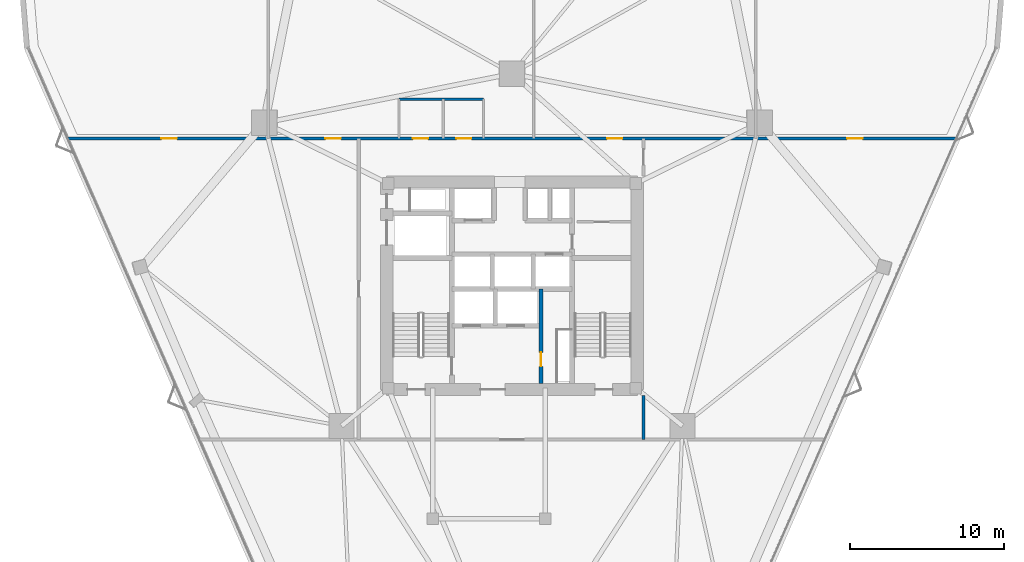
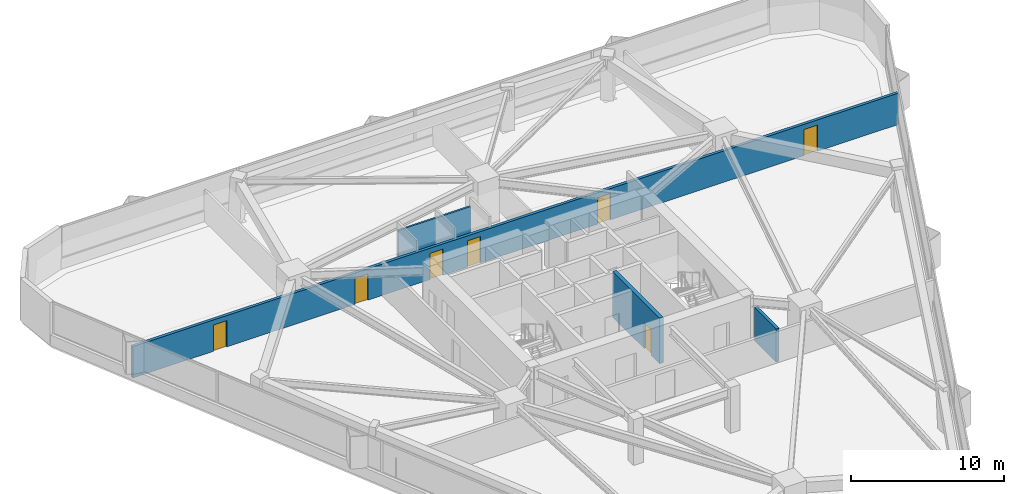
# One storey, part 16 of 20: 7 doors, 4 walls, 7 openings.
"""IFC4 building model written with IfcOpenShell, lengths in metres."""

from ifc_helpers import new_model, si_unit, direction, frame, frame_2d, origin, place, context, subcontext, project, spatial, rectangle, extrude, material, layer, layer_set, type_object, element, fill, save


model = new_model("IFC4")

# Units and contexts
model_context = context("Model", 3, precision=1e-05, world=origin(), true_north=direction((0.0, 1.0)))
body_context = subcontext(model_context, "Body", "Model", "MODEL_VIEW")
ifc_project = project(units=[si_unit("LENGTHUNIT", "METRE"), si_unit("AREAUNIT", "SQUARE_METRE"), si_unit("VOLUMEUNIT", "CUBIC_METRE"), si_unit("PLANEANGLEUNIT", "RADIAN"), si_unit("MASSUNIT", "GRAM", prefix="KILO")], contexts=[model_context])

# Site, building, storey
site_placement = place(None, origin())
site = spatial("IfcSite", under=ifc_project, at=site_placement, CompositionType="ELEMENT")
building_placement = place(site_placement, origin())
building = spatial("IfcBuilding", under=site, at=building_placement, Name="Talyreon Biosciences Tower", CompositionType="ELEMENT")
storey_placement = place(building_placement, frame((0.0, 0.0, 78.64990234375)))
storey = spatial("IfcBuildingStorey", under=building, at=storey_placement, Name="L20", CompositionType="ELEMENT", Elevation=78.64990234375)

# Wall, opening, door
ifc_material_1 = material(Name="Concrete C50/60", Category="concrete")
ifc_layer_1 = layer(ifc_material_1, 0.280029296875)
ifc_layer_set_1 = layer_set([ifc_layer_1], Name="Concrete C50/60")
wall_type_1 = type_object("IfcWallType", Name="CoreShearWall_280", PredefinedType="SHEAR", material=ifc_layer_set_1)
wall_1_placement = place(storey_placement, frame((67.8798828125, 61.64990234375, 0.0), z_axis=(0.0, 0.0, 1.0), x_axis=(0.0, 1.0, 0.0)))
wall_1 = element("IfcWall", 1, at=wall_1_placement, inside=storey, type_object=wall_type_1, Name="L20 Core Shaft Wall SWFFE", PredefinedType="SHEAR", context=body_context, shape_type="SweptSolid", body=[
    extrude(rectangle(XDim=6.150146484375, YDim=0.280029296875, at=frame_2d((3.0751953125, 0.0))), origin(), (0.0, 0.0, 1.0), 3.650146484375),
])
opening_1_placement = place(wall_1_placement, frame((1.10009765625, 0.0, 0.0)))
opening_1 = element("IfcOpeningElement", 2, at=opening_1_placement, cuts=wall_1, Name="Opening DR-L20-RSE", PredefinedType="OPENING", context=body_context, shape_type="SweptSolid", body=[
    extrude(rectangle(XDim=0.919921875, YDim=2.050048828125, at=frame_2d((0.4599609375, 1.02490234375))), frame((0.0, 0.14990234375, 0.0), z_axis=(0.0, -1.0, 0.0), x_axis=(1.0, 0.0, 0.0)), (0.0, 0.0, 1.0), 0.300048828125),
])
ifc_material_2 = material(Name="Painted steel fire-rated riser door", Category="steel")
door_type_1 = type_object("IfcDoorType", Name="RiserPlantAccessDoor_920x2050", OperationType="NOTDEFINED", PredefinedType="DOOR", material=ifc_material_2)
door_1_placement = place(opening_1_placement, origin())
door_1 = element("IfcDoor", 3, at=door_1_placement, inside=storey, type_object=door_type_1, Name="L20 Core Door DR-L20-RSE", OperationType="SINGLE_SWING_RIGHT", OverallHeight=2.050048828125, OverallWidth=0.919921875, PredefinedType="DOOR", context=body_context, shape_type="SweptSolid", body=[
    extrude(rectangle(XDim=0.919921875, YDim=2.050048828125, at=frame_2d((0.4599609375, 1.02490234375))), frame((0.0, 0.02490234375, 0.0), z_axis=(0.0, -1.0, 0.0), x_axis=(1.0, 0.0, 0.0)), (0.0, 0.0, 1.0), 0.050048828125),
])
fill(opening_1, door_1)

# Wall, openings, doors
ifc_material_3 = material(Name="Gypsum fireboard acoustic stud", Category="gypsum")
ifc_layer_2 = layer(ifc_material_3, 0.219970703125)
ifc_layer_set_2 = layer_set([ifc_layer_2], Name="Gypsum fireboard acoustic stud")
wall_type_2 = type_object("IfcWallType", Name="CorridorRatedPartition_220", PredefinedType="PARTITIONING", material=ifc_layer_set_2)
wall_2_placement = place(storey_placement, frame((37.105224609375, 77.580078125, 0.0), z_axis=(0.0, 0.0, 1.0), x_axis=(1.0, 0.0, 0.0)))
wall_2 = element("IfcWall", 4, at=wall_2_placement, inside=storey, type_object=wall_type_2, Name="L20 Interior Wall IW-L20-COR-N", PredefinedType="PARTITIONING", context=body_context, shape_type="SweptSolid", body=[
    extrude(rectangle(XDim=57.78955078125, YDim=0.219970703125, at=frame_2d((28.894775390625, 0.0))), origin(), (0.0, 0.0, 1.0), 2.505126953125),
])
opening_2_placement = place(wall_2_placement, frame((22.455078125, 0.0, 0.0)))
opening_2 = element("IfcOpeningElement", 5, at=opening_2_placement, cuts=wall_2, Name="Opening DR-L20-WC", PredefinedType="OPENING", context=body_context, shape_type="SweptSolid", body=[
    extrude(rectangle(XDim=0.97998046875, YDim=2.10009765625, at=frame_2d((0.489990234375, 1.050048828125))), frame((0.0, 0.119873046875, 0.0), z_axis=(0.0, -1.0, 0.0), x_axis=(1.0, 0.0, 0.0)), (0.0, 0.0, 1.0), 0.239990234375),
])
opening_3_placement = place(wall_2_placement, frame((25.280029296875, 0.0, 0.0)))
opening_3 = element("IfcOpeningElement", 6, at=opening_3_placement, cuts=wall_2, Name="Opening DR-L20-AWC", PredefinedType="OPENING", context=body_context, shape_type="SweptSolid", body=[
    extrude(rectangle(XDim=0.97998046875, YDim=2.10009765625, at=frame_2d((0.489990234375, 1.050048828125))), frame((0.0, 0.119873046875, 0.0), z_axis=(0.0, -1.0, 0.0), x_axis=(1.0, 0.0, 0.0)), (0.0, 0.0, 1.0), 0.239990234375),
])
opening_4_placement = place(wall_2_placement, frame((6.10205078125, 0.0, 0.0)))
opening_4 = element("IfcOpeningElement", 7, at=opening_4_placement, cuts=wall_2, Name="Opening DR-L20-N1A", PredefinedType="OPENING", context=body_context, shape_type="SweptSolid", body=[
    extrude(rectangle(XDim=1.0, YDim=2.10009765625, at=frame_2d((0.5, 1.050048828125))), frame((0.0, 0.119873046875, 0.0), z_axis=(0.0, -1.0, 0.0), x_axis=(1.0, 0.0, 0.0)), (0.0, 0.0, 1.0), 0.239990234375),
])
opening_5_placement = place(wall_2_placement, frame((16.759033203125, 0.0, 0.0)))
opening_5 = element("IfcOpeningElement", 8, at=opening_5_placement, cuts=wall_2, Name="Opening DR-L20-N2A", PredefinedType="OPENING", context=body_context, shape_type="SweptSolid", body=[
    extrude(rectangle(XDim=1.0, YDim=2.10009765625, at=frame_2d((0.5, 1.050048828125))), frame((0.0, 0.119873046875, 0.0), z_axis=(0.0, -1.0, 0.0), x_axis=(1.0, 0.0, 0.0)), (0.0, 0.0, 1.0), 0.239990234375),
])
opening_6_placement = place(wall_2_placement, frame((35.080078125, 0.0, 0.0)))
opening_6 = element("IfcOpeningElement", 9, at=opening_6_placement, cuts=wall_2, Name="Opening DR-L20-N3A", PredefinedType="OPENING", context=body_context, shape_type="SweptSolid", body=[
    extrude(rectangle(XDim=1.0, YDim=2.10009765625, at=frame_2d((0.5, 1.050048828125))), frame((0.0, 0.119873046875, 0.0), z_axis=(0.0, -1.0, 0.0), x_axis=(1.0, 0.0, 0.0)), (0.0, 0.0, 1.0), 0.239990234375),
])
opening_7_placement = place(wall_2_placement, frame((50.68798828125, 0.0, 0.0)))
opening_7 = element("IfcOpeningElement", 10, at=opening_7_placement, cuts=wall_2, Name="Opening DR-L20-N4A", PredefinedType="OPENING", context=body_context, shape_type="SweptSolid", body=[
    extrude(rectangle(XDim=1.0, YDim=2.10009765625, at=frame_2d((0.5, 1.050048828125))), frame((0.0, 0.119873046875, 0.0), z_axis=(0.0, -1.0, 0.0), x_axis=(1.0, 0.0, 0.0)), (0.0, 0.0, 1.0), 0.239990234375),
])
ifc_material_4 = material(Name="Laminate moisture-resistant door", Category="wood")
door_type_2 = type_object("IfcDoorType", Name="AccessibleToiletDoor_980x2100", OperationType="NOTDEFINED", PredefinedType="DOOR", material=ifc_material_4)
door_2_placement = place(opening_2_placement, origin())
door_2 = element("IfcDoor", 11, at=door_2_placement, inside=storey, type_object=door_type_2, Name="L20 Interior Door DR-L20-WC", OperationType="SINGLE_SWING_LEFT", OverallHeight=2.10009765625, OverallWidth=0.97998046875, PredefinedType="DOOR", context=body_context, shape_type="SweptSolid", body=[
    extrude(rectangle(XDim=0.97998046875, YDim=2.10009765625, at=frame_2d((0.489990234375, 1.050048828125))), frame((0.0, 0.02490234375, 0.0), z_axis=(0.0, -1.0, 0.0), x_axis=(1.0, 0.0, 0.0)), (0.0, 0.0, 1.0), 0.050048828125),
])
fill(opening_2, door_2)
door_3_placement = place(opening_3_placement, origin())
door_3 = element("IfcDoor", 12, at=door_3_placement, inside=storey, type_object=door_type_2, Name="L20 Interior Door DR-L20-AWC", OperationType="SINGLE_SWING_LEFT", OverallHeight=2.10009765625, OverallWidth=0.97998046875, PredefinedType="DOOR", context=body_context, shape_type="SweptSolid", body=[
    extrude(rectangle(XDim=0.97998046875, YDim=2.10009765625, at=frame_2d((0.489990234375, 1.050048828125))), frame((0.0, 0.02490234375, 0.0), z_axis=(0.0, -1.0, 0.0), x_axis=(1.0, 0.0, 0.0)), (0.0, 0.0, 1.0), 0.050048828125),
])
fill(opening_3, door_3)
ifc_material_5 = material(Name="Acoustic oak veneer office door", Category="wood")
door_type_3 = type_object("IfcDoorType", Name="WriteupOfficeDoor_1000x2100", OperationType="NOTDEFINED", PredefinedType="DOOR", material=ifc_material_5)
door_4_placement = place(opening_4_placement, origin())
door_4 = element("IfcDoor", 13, at=door_4_placement, inside=storey, type_object=door_type_3, Name="L20 Interior Door DR-L20-N1A", OperationType="SINGLE_SWING_LEFT", OverallHeight=2.10009765625, OverallWidth=1.0, PredefinedType="DOOR", context=body_context, shape_type="SweptSolid", body=[
    extrude(rectangle(XDim=1.0, YDim=2.10009765625, at=frame_2d((0.5, 1.050048828125))), frame((0.0, 0.02490234375, 0.0), z_axis=(0.0, -1.0, 0.0), x_axis=(1.0, 0.0, 0.0)), (0.0, 0.0, 1.0), 0.050048828125),
])
fill(opening_4, door_4)
door_5_placement = place(opening_5_placement, origin())
door_5 = element("IfcDoor", 14, at=door_5_placement, inside=storey, type_object=door_type_3, Name="L20 Interior Door DR-L20-N2A", OperationType="SINGLE_SWING_LEFT", OverallHeight=2.10009765625, OverallWidth=1.0, PredefinedType="DOOR", context=body_context, shape_type="SweptSolid", body=[
    extrude(rectangle(XDim=1.0, YDim=2.10009765625, at=frame_2d((0.5, 1.050048828125))), frame((0.0, 0.02490234375, 0.0), z_axis=(0.0, -1.0, 0.0), x_axis=(1.0, 0.0, 0.0)), (0.0, 0.0, 1.0), 0.050048828125),
])
fill(opening_5, door_5)
door_6_placement = place(opening_6_placement, origin())
door_6 = element("IfcDoor", 15, at=door_6_placement, inside=storey, type_object=door_type_3, Name="L20 Interior Door DR-L20-N3A", OperationType="SINGLE_SWING_LEFT", OverallHeight=2.10009765625, OverallWidth=1.0, PredefinedType="DOOR", context=body_context, shape_type="SweptSolid", body=[
    extrude(rectangle(XDim=1.0, YDim=2.10009765625, at=frame_2d((0.5, 1.050048828125))), frame((0.0, 0.02490234375, 0.0), z_axis=(0.0, -1.0, 0.0), x_axis=(1.0, 0.0, 0.0)), (0.0, 0.0, 1.0), 0.050048828125),
])
fill(opening_6, door_6)
door_7_placement = place(opening_7_placement, origin())
door_7 = element("IfcDoor", 16, at=door_7_placement, inside=storey, type_object=door_type_3, Name="L20 Interior Door DR-L20-N4A", OperationType="SINGLE_SWING_LEFT", OverallHeight=2.10009765625, OverallWidth=1.0, PredefinedType="DOOR", context=body_context, shape_type="SweptSolid", body=[
    extrude(rectangle(XDim=1.0, YDim=2.10009765625, at=frame_2d((0.5, 1.050048828125))), frame((0.0, 0.02490234375, 0.0), z_axis=(0.0, -1.0, 0.0), x_axis=(1.0, 0.0, 0.0)), (0.0, 0.0, 1.0), 0.050048828125),
])
fill(opening_7, door_7)

# Walls
wall_3_placement = place(storey_placement, frame((74.550048828125, 58.0, 0.0), z_axis=(0.0, 0.0, 1.0), x_axis=(0.0, 1.0, 0.0)))
element("IfcWall", 17, at=wall_3_placement, inside=storey, type_object=wall_type_2, Name="L20 Interior Wall IW-L20-ECAP-S", PredefinedType="PARTITIONING", context=body_context, shape_type="SweptSolid", body=[
    extrude(rectangle(XDim=2.85009765625, YDim=0.219970703125, at=frame_2d((1.425048828125, 0.0))), origin(), (0.0, 0.0, 1.0), 2.655029296875),
])
ifc_material_6 = material(Name="Moisture-resistant cement-board stud", Category="gypsum")
ifc_layer_3 = layer(ifc_material_6, 0.14501953125)
ifc_layer_set_3 = layer_set([ifc_layer_3], Name="Moisture-resistant cement-board stud")
wall_type_3 = type_object("IfcWallType", Name="WetRoomPartition_145", PredefinedType="PARTITIONING", material=ifc_layer_set_3)
wall_4_placement = place(storey_placement, frame((58.64990234375, 80.1298828125, 0.0), z_axis=(0.0, 0.0, 1.0), x_axis=(1.0, 0.0, 0.0)))
element("IfcWall", 18, at=wall_4_placement, inside=storey, type_object=wall_type_3, Name="L20 Interior Wall IW-L20-WCT", PredefinedType="PARTITIONING", context=body_context, shape_type="SweptSolid", body=[
    extrude(rectangle(XDim=5.5, YDim=0.14501953125, at=frame_2d((2.75, 0.0))), origin(), (0.0, 0.0, 1.0), 2.655029296875),
])

save(model, "model.ifc")
